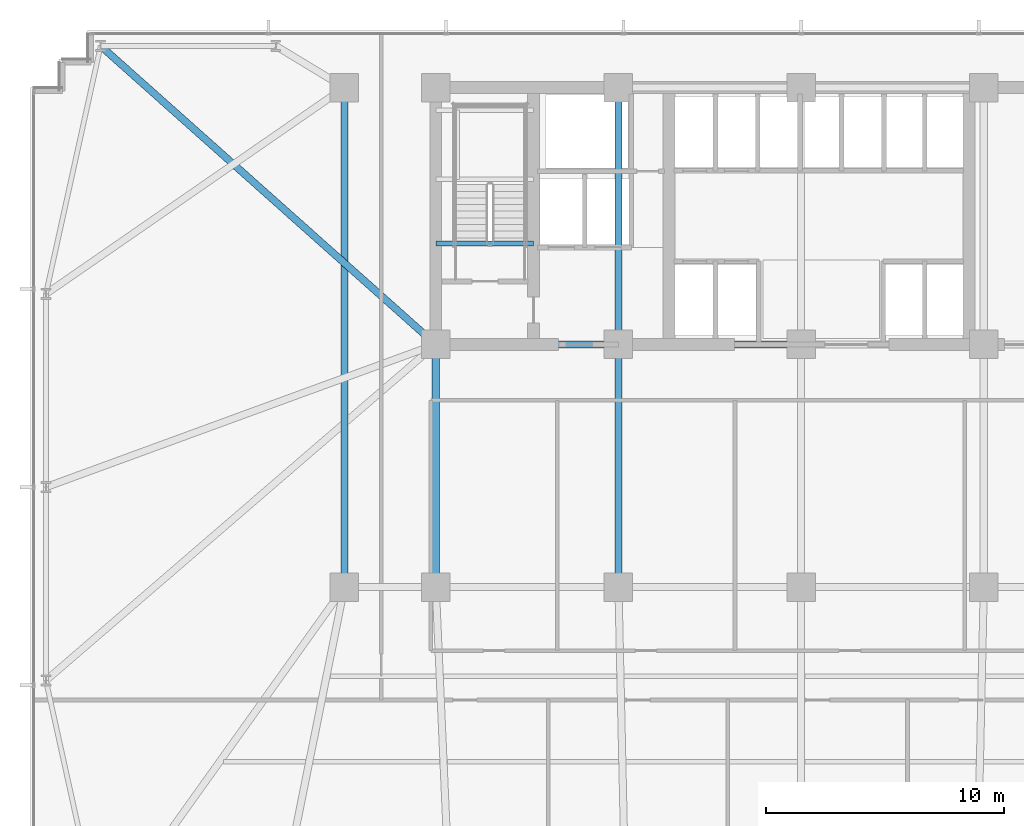
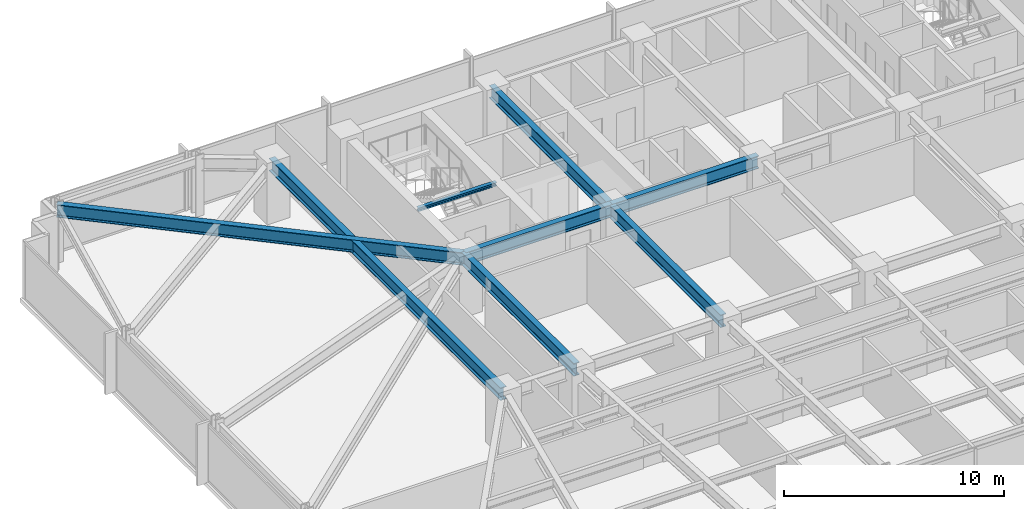
# One storey, part 10 of 33: 8 beams.
"""IFC4 building model written with IfcOpenShell, lengths in metres."""

from ifc_helpers import new_model, si_unit, direction, frame, origin, origin_2d, place, context, subcontext, project, spatial, i_section, extrude, material, material_profile, profile_set, type_object, element, save


model = new_model("IFC4")

# Units and contexts
model_context = context("Model", 3, precision=1e-05, world=origin(), true_north=direction((0.0, 1.0)))
body_context = subcontext(model_context, "Body", "Model", "MODEL_VIEW")
ifc_project = project(units=[si_unit("LENGTHUNIT", "METRE"), si_unit("AREAUNIT", "SQUARE_METRE"), si_unit("VOLUMEUNIT", "CUBIC_METRE"), si_unit("PLANEANGLEUNIT", "RADIAN"), si_unit("MASSUNIT", "GRAM", prefix="KILO")], contexts=[model_context])

# Site, building, storey
site_placement = place(None, origin())
site = spatial("IfcSite", under=ifc_project, at=site_placement, CompositionType="ELEMENT")
building_placement = place(site_placement, origin())
building = spatial("IfcBuilding", under=site, at=building_placement, Name="Yelkora Congress Tower", CompositionType="ELEMENT")
storey_placement = place(building_placement, frame((0.0, 0.0, 71.199951171875)))
storey = spatial("IfcBuildingStorey", under=building, at=storey_placement, Name="L18", CompositionType="ELEMENT", Elevation=71.199951171875)

# Beams
ifc_material = material(Name="Steel S355J2", Category="steel")
ifc_material_profile_1 = material_profile(ifc_material, i_section(OverallWidth=0.300048828125, OverallDepth=0.699951171875, WebThickness=0.01708984375, FlangeThickness=0.031982421875, FilletRadius=0.027099609375, at=origin_2d()), Name="HEB 700")
ifc_profile_set_1 = profile_set([ifc_material_profile_1], Name="Steel S355J2")
beam_type_1 = type_object("IfcBeamType", Name="BM-GIRD-HEB700", PredefinedType="BEAM", material=ifc_profile_set_1)
for number, where, z_axis, x_axis, name in (
    (1, (23.0400390625, 35.39990234375, 2.830078125), (1.0, 0.0, 0.0), (0.0, 1.0, 0.0), "L18 Core South Girder 1"),
    (2, (30.719970703125, 35.39990234375, 2.830078125), (1.0, 0.0, 0.0), (0.0, 1.0, 0.0), "L18 Core South Girder 2"),
):
    element("IfcBeam", number, at=place(storey_placement, frame(where, z_axis=z_axis, x_axis=x_axis)), inside=storey, type_object=beam_type_1, Name=name, PredefinedType="BEAM", context=body_context, shape_type="SweptSolid", body=[
        extrude(i_section(OverallWidth=0.300048828125, OverallDepth=0.699951171875, WebThickness=0.01708984375, FlangeThickness=0.031982421875, FilletRadius=0.027099609375, at=origin_2d()), origin(), (0.0, 0.0, 1.0), 7.679931640625),
    ])
for number, where, z_axis, x_axis, name in (
    (3, (23.0400390625, 25.199951171875, 2.830078125), (0.0, 1.0, 0.0), (-1.0, 0.0, 0.0), "L18 Core Tie Girder MC-D1"),
    (4, (30.719970703125, 25.199951171875, 2.830078125), (0.0, 1.0, 0.0), (-1.0, 0.0, 0.0), "L18 Core Tie Girder MC-D2"),
):
    element("IfcBeam", number, at=place(storey_placement, frame(where, z_axis=z_axis, x_axis=x_axis)), inside=storey, type_object=beam_type_1, Name=name, PredefinedType="BEAM", context=body_context, shape_type="SweptSolid", body=[
        extrude(i_section(OverallWidth=0.300048828125, OverallDepth=0.699951171875, WebThickness=0.01708984375, FlangeThickness=0.031982421875, FilletRadius=0.027099609375, at=origin_2d()), origin(), (0.0, 0.0, 1.0), 10.199951171875),
    ])
beam_1_placement = place(storey_placement, frame((30.719970703125, 35.39990234375, 2.830078125), z_axis=(0.0, 1.0, 0.0), x_axis=(-1.0, 0.0, 0.0)))
element("IfcBeam", 5, at=beam_1_placement, inside=storey, type_object=beam_type_1, Name="L18 Core Tie Girder MC-S2", PredefinedType="BEAM", context=body_context, shape_type="SweptSolid", body=[
    extrude(i_section(OverallWidth=0.300048828125, OverallDepth=0.699951171875, WebThickness=0.01708984375, FlangeThickness=0.031982421875, FilletRadius=0.027099609375, at=origin_2d()), origin(), (0.0, 0.0, 1.0), 10.800048828125),
])
beam_2_placement = place(storey_placement, frame((19.199951171875, 25.199951171875, 2.830078125), z_axis=(0.0, 1.0, 0.0), x_axis=(-1.0, 0.0, 0.0)))
element("IfcBeam", 6, at=beam_2_placement, inside=storey, type_object=beam_type_1, Name="L18 Neck Flank Girder MC-F1", PredefinedType="BEAM", context=body_context, shape_type="SweptSolid", body=[
    extrude(i_section(OverallWidth=0.300048828125, OverallDepth=0.699951171875, WebThickness=0.01708984375, FlangeThickness=0.031982421875, FilletRadius=0.027099609375, at=origin_2d()), origin(), (0.0, 0.0, 1.0), 21.0),
])
beam_3_placement = place(storey_placement, frame((8.949951171875, 47.949951171875, 2.830078125), z_axis=(0.746737189621, -0.665119214605, 0.0), x_axis=(0.665119214605, 0.746737189621, 0.0)))
element("IfcBeam", 7, at=beam_3_placement, inside=storey, type_object=beam_type_1, Name="L18 Primary Frame Girder N01", PredefinedType="BEAM", context=body_context, shape_type="SweptSolid", body=[
    extrude(i_section(OverallWidth=0.300048828125, OverallDepth=0.699951171875, WebThickness=0.01708984375, FlangeThickness=0.031982421875, FilletRadius=0.027099609375, at=origin_2d()), origin(), (0.0, 0.0, 1.0), 18.868896484375),
])
ifc_material_profile_2 = material_profile(ifc_material, i_section(OverallWidth=0.199951171875, OverallDepth=0.18994140625, WebThickness=0.006591796875, FlangeThickness=0.010009765625, FilletRadius=0.01806640625, at=origin_2d()), Name="HEA 200")
ifc_profile_set_2 = profile_set([ifc_material_profile_2], Name="Steel S355J2")
beam_type_2 = type_object("IfcBeamType", Name="BM-LAND-HEA200", PredefinedType="BEAM", material=ifc_profile_set_2)
beam_4_placement = place(storey_placement, frame((23.0400390625, 39.639892578125, 2.947509765625), z_axis=(1.0, 0.0, 0.0), x_axis=(0.0, 1.0, 0.0)))
element("IfcBeam", 8, at=beam_4_placement, inside=storey, type_object=beam_type_2, Name="ST-01 L18 Floor Arrival Stringer Header Beam", PredefinedType="BEAM", context=body_context, shape_type="SweptSolid", body=[
    extrude(i_section(OverallWidth=0.199951171875, OverallDepth=0.18994140625, WebThickness=0.006591796875, FlangeThickness=0.010009765625, FilletRadius=0.01806640625, at=origin_2d()), origin(), (0.0, 0.0, 1.0), 4.10986328125),
])

save(model, "model.ifc")
